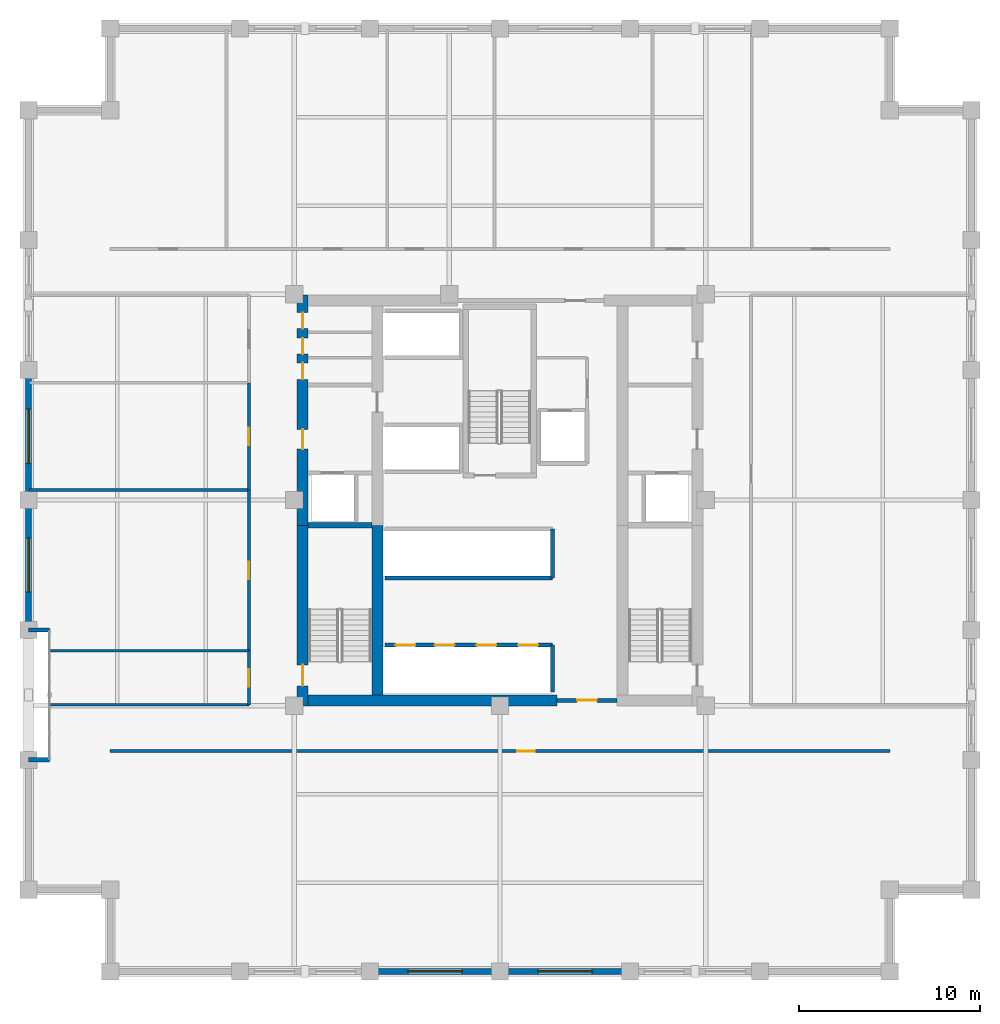
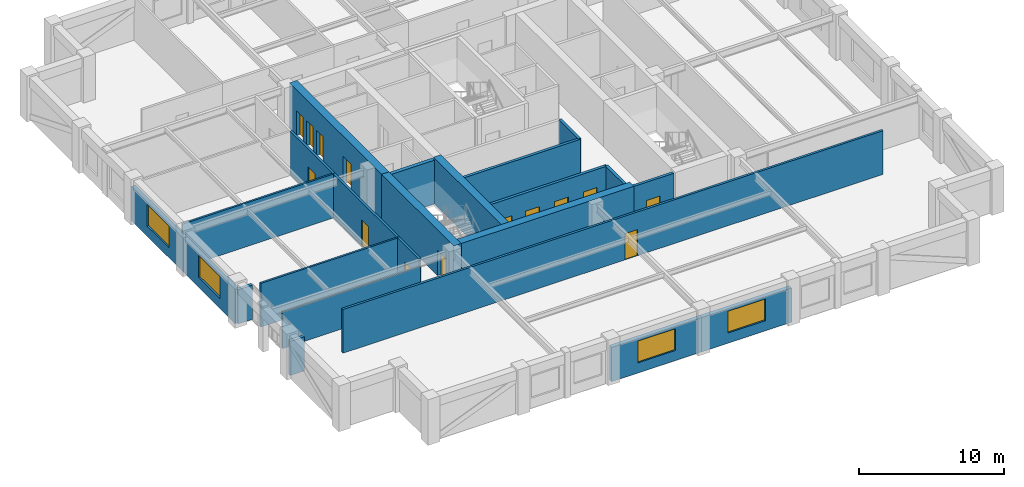
# One storey, part 6 of 11: 23 walls, 14 doors, 4 windows, 18 openings.
"""IFC4 building model written with IfcOpenShell, lengths in metres."""

from ifc_helpers import new_model, si_unit, direction, frame, frame_2d, origin, place, context, subcontext, project, spatial, rectangle, extrude, material, layer, layer_set, type_object, element, fill, save


model = new_model("IFC4")

# Units and contexts
model_context = context("Model", 3, precision=1e-05, world=origin(), true_north=direction((0.0, 1.0)))
body_context = subcontext(model_context, "Body", "Model", "MODEL_VIEW")
ifc_project = project(units=[si_unit("LENGTHUNIT", "METRE"), si_unit("AREAUNIT", "SQUARE_METRE"), si_unit("VOLUMEUNIT", "CUBIC_METRE"), si_unit("PLANEANGLEUNIT", "RADIAN"), si_unit("MASSUNIT", "GRAM", prefix="KILO")], contexts=[model_context])

# Site, building, storey
site_placement = place(None, origin())
site = spatial("IfcSite", under=ifc_project, at=site_placement, CompositionType="ELEMENT")
building_placement = place(site_placement, origin())
building = spatial("IfcBuilding", under=site, at=building_placement, Name="Nhamokura Convention Tower", CompositionType="ELEMENT")
storey_placement = place(building_placement, frame((0.0, 0.0, 168.35009765625)))
storey = spatial("IfcBuildingStorey", under=building, at=storey_placement, Name="L41", CompositionType="ELEMENT", Elevation=168.35009765625)

# Wall, opening, window
ifc_material_1 = material(Name="Bronze-pigmented precast concrete C45/55", Category="concrete")
ifc_layer_1 = layer(ifc_material_1, 0.320068359375)
ifc_layer_set_1 = layer_set([ifc_layer_1], Name="BronzePrecastSpandrel_320")
wall_type_1 = type_object("IfcWallType", Name="BronzePrecastSpandrel_320", PredefinedType="USERDEFINED", material=ifc_layer_set_1)
wall_1_placement = place(storey_placement, frame((32.0, 6.0, 0.0), z_axis=(0.0, 0.0, 1.0), x_axis=(-1.0, 0.0, 0.0)))
wall_1 = element("IfcWall", 1, at=wall_1_placement, inside=storey, type_object=wall_type_1, Name="L41 Masonry-Frame Wall SOUTH 2", ObjectType="SPANDREL_WALL", PredefinedType="USERDEFINED", context=body_context, shape_type="SweptSolid", body=[
    extrude(rectangle(XDim=7.166748046875, YDim=0.320068359375, at=frame_2d((3.58349609375, 0.0))), origin(), (0.0, 0.0, 1.0), 2.885009765625),
])
opening_1_placement = place(wall_1_placement, frame((2.083251953125, 0.0, 0.85009765625)))
opening_1 = element("IfcOpeningElement", 2, at=opening_1_placement, cuts=wall_1, Name="Opening W-05", PredefinedType="OPENING", context=body_context, shape_type="SweptSolid", body=[
    extrude(rectangle(XDim=3.0, YDim=1.8349609375, at=frame_2d((1.5, 0.91748046875))), frame((0.0, 0.169921875, 0.0), z_axis=(0.0, -1.0, 0.0), x_axis=(1.0, 0.0, 0.0)), (0.0, 0.0, 1.0), 0.340087890625),
])
ifc_material_2 = material(Name="Solar-control bronze low-E double glass", Category="glass")
window_type = type_object("IfcWindowType", Name="OfficeModuleWindow_Z2_3000", PartitioningType="DOUBLE_PANEL_VERTICAL", PredefinedType="WINDOW", material=ifc_material_2)
window_1_placement = place(opening_1_placement, origin())
window_1 = element("IfcWindow", 3, at=window_1_placement, inside=storey, type_object=window_type, Name="L41 Facade Window SOUTH 2", OverallHeight=1.8349609375, OverallWidth=3.0, PartitioningType="SINGLE_PANEL", PredefinedType="WINDOW", context=body_context, shape_type="SweptSolid", body=[
    extrude(rectangle(XDim=3.0, YDim=1.8349609375, at=frame_2d((1.5, 0.91748046875))), frame((0.0, 0.030029296875, 0.0), z_axis=(0.0, -1.0, 0.0), x_axis=(1.0, 0.0, 0.0)), (0.0, 0.0, 1.0), 0.06005859375),
])
fill(opening_1, window_1)

wall_2_placement = place(storey_placement, frame((39.166748046875, 6.0, 0.0), z_axis=(0.0, 0.0, 1.0), x_axis=(-1.0, 0.0, 0.0)))
wall_2 = element("IfcWall", 4, at=wall_2_placement, inside=storey, type_object=wall_type_1, Name="L41 Masonry-Frame Wall SOUTH 3", ObjectType="SPANDREL_WALL", PredefinedType="USERDEFINED", context=body_context, shape_type="SweptSolid", body=[
    extrude(rectangle(XDim=7.166748046875, YDim=0.320068359375, at=frame_2d((3.58349609375, 0.0))), origin(), (0.0, 0.0, 1.0), 2.885009765625),
])
opening_2_placement = place(wall_2_placement, frame((2.083251953125, 0.0, 0.85009765625)))
opening_2 = element("IfcOpeningElement", 5, at=opening_2_placement, cuts=wall_2, Name="Opening W-05", PredefinedType="OPENING", context=body_context, shape_type="SweptSolid", body=[
    extrude(rectangle(XDim=3.0, YDim=1.8349609375, at=frame_2d((1.5, 0.91748046875))), frame((0.0, 0.169921875, 0.0), z_axis=(0.0, -1.0, 0.0), x_axis=(1.0, 0.0, 0.0)), (0.0, 0.0, 1.0), 0.340087890625),
])
window_2_placement = place(opening_2_placement, origin())
window_2 = element("IfcWindow", 6, at=window_2_placement, inside=storey, type_object=window_type, Name="L41 Facade Window SOUTH 3", OverallHeight=1.8349609375, OverallWidth=3.0, PartitioningType="SINGLE_PANEL", PredefinedType="WINDOW", context=body_context, shape_type="SweptSolid", body=[
    extrude(rectangle(XDim=3.0, YDim=1.8349609375, at=frame_2d((1.5, 0.91748046875))), frame((0.0, 0.030029296875, 0.0), z_axis=(0.0, -1.0, 0.0), x_axis=(1.0, 0.0, 0.0)), (0.0, 0.0, 1.0), 0.06005859375),
])
fill(opening_2, window_2)

# Walls
for number, where, z_axis, x_axis, name in (
    (7, (6.0, 17.666748046875, 0.0), (0.0, 0.0, 1.0), (1.0, 0.0, 0.0), "L41 Scale Slot Cheek Wall WESTA"),
    (8, (6.0, 24.833251953125, 0.0), (0.0, 0.0, 1.0), (1.0, 0.0, 0.0), "L41 Scale Slot Cheek Wall WESTB"),
):
    element("IfcWall", number, at=place(storey_placement, frame(where, z_axis=z_axis, x_axis=x_axis)), inside=storey, type_object=wall_type_1, Name=name, ObjectType="SPANDREL_WALL", PredefinedType="USERDEFINED", context=body_context, shape_type="SweptSolid", body=[
        extrude(rectangle(XDim=1.14990234375, YDim=0.239990234375, at=frame_2d((0.574951171875, 0.0))), origin(), (0.0, 0.0, 1.0), 2.885009765625),
    ])

# Wall, opening, window
wall_3_placement = place(storey_placement, frame((6.0, 24.833251953125, 0.0), z_axis=(0.0, 0.0, 1.0), x_axis=(0.0, 1.0, 0.0)))
wall_3 = element("IfcWall", 9, at=wall_3_placement, inside=storey, type_object=wall_type_1, Name="L41 Masonry-Frame Wall WEST 2", ObjectType="SPANDREL_WALL", PredefinedType="USERDEFINED", context=body_context, shape_type="SweptSolid", body=[
    extrude(rectangle(XDim=7.166748046875, YDim=0.320068359375, at=frame_2d((3.58349609375, 0.0))), origin(), (0.0, 0.0, 1.0), 2.885009765625),
])
opening_3_placement = place(wall_3_placement, frame((2.083251953125, 0.0, 0.85009765625)))
opening_3 = element("IfcOpeningElement", 10, at=opening_3_placement, cuts=wall_3, Name="Opening W-05", PredefinedType="OPENING", context=body_context, shape_type="SweptSolid", body=[
    extrude(rectangle(XDim=3.0, YDim=1.8349609375, at=frame_2d((1.5, 0.91748046875))), frame((0.0, 0.169921875, 0.0), z_axis=(0.0, -1.0, 0.0), x_axis=(1.0, 0.0, 0.0)), (0.0, 0.0, 1.0), 0.340087890625),
])
window_3_placement = place(opening_3_placement, origin())
window_3 = element("IfcWindow", 11, at=window_3_placement, inside=storey, type_object=window_type, Name="L41 Facade Window WEST 2", OverallHeight=1.8349609375, OverallWidth=3.0, PartitioningType="SINGLE_PANEL", PredefinedType="WINDOW", context=body_context, shape_type="SweptSolid", body=[
    extrude(rectangle(XDim=3.0, YDim=1.8349609375, at=frame_2d((1.5, 0.91748046875))), frame((0.0, 0.030029296875, 0.0), z_axis=(0.0, -1.0, 0.0), x_axis=(1.0, 0.0, 0.0)), (0.0, 0.0, 1.0), 0.06005859375),
])
fill(opening_3, window_3)

wall_4_placement = place(storey_placement, frame((6.0, 32.0, 0.0), z_axis=(0.0, 0.0, 1.0), x_axis=(0.0, 1.0, 0.0)))
wall_4 = element("IfcWall", 12, at=wall_4_placement, inside=storey, type_object=wall_type_1, Name="L41 Masonry-Frame Wall WEST 3", ObjectType="SPANDREL_WALL", PredefinedType="USERDEFINED", context=body_context, shape_type="SweptSolid", body=[
    extrude(rectangle(XDim=7.166748046875, YDim=0.320068359375, at=frame_2d((3.58349609375, 0.0))), origin(), (0.0, 0.0, 1.0), 2.885009765625),
])
opening_4_placement = place(wall_4_placement, frame((2.00830078125, 0.0, 0.85009765625)))
opening_4 = element("IfcOpeningElement", 13, at=opening_4_placement, cuts=wall_4, Name="Opening W-05", PredefinedType="OPENING", context=body_context, shape_type="SweptSolid", body=[
    extrude(rectangle(XDim=3.0, YDim=1.8349609375, at=frame_2d((1.5, 0.91748046875))), frame((0.0, 0.169921875, 0.0), z_axis=(0.0, -1.0, 0.0), x_axis=(1.0, 0.0, 0.0)), (0.0, 0.0, 1.0), 0.340087890625),
])
window_4_placement = place(opening_4_placement, origin())
window_4 = element("IfcWindow", 14, at=window_4_placement, inside=storey, type_object=window_type, Name="L41 Facade Window WEST 3", OverallHeight=1.8349609375, OverallWidth=3.0, PartitioningType="SINGLE_PANEL", PredefinedType="WINDOW", context=body_context, shape_type="SweptSolid", body=[
    extrude(rectangle(XDim=3.0, YDim=1.8349609375, at=frame_2d((1.5, 0.91748046875))), frame((0.0, 0.030029296875, 0.0), z_axis=(0.0, -1.0, 0.0), x_axis=(1.0, 0.0, 0.0)), (0.0, 0.0, 1.0), 0.06005859375),
])
fill(opening_4, window_4)

# Wall, opening, door
ifc_material_3 = material(Name="Concrete C60/75", Category="concrete")
ifc_layer_2 = layer(ifc_material_3, 0.60009765625)
ifc_layer_set_2 = layer_set([ifc_layer_2], Name="CoreShearWall_600")
wall_type_2 = type_object("IfcWallType", Name="CoreShearWall_600", PredefinedType="SHEAR", material=ifc_layer_set_2)
wall_5_placement = place(storey_placement, frame((21.110107421875, 20.64990234375, 0.0), z_axis=(0.0, 0.0, 1.0), x_axis=(0.0, 1.0, 0.0)))
wall_5 = element("IfcWall", 15, at=wall_5_placement, inside=storey, type_object=wall_type_2, Name="L41 Core Shear Wall CW-WS", PredefinedType="SHEAR", context=body_context, shape_type="SweptSolid", body=[
    extrude(rectangle(XDim=9.9501953125, YDim=0.60009765625, at=frame_2d((4.97509765625, 0.0))), origin(), (0.0, 0.0, 1.0), 3.849853515625),
])
opening_5_placement = place(wall_5_placement, frame((1.10009765625, 0.0, 0.0)))
opening_5 = element("IfcOpeningElement", 16, at=opening_5_placement, cuts=wall_5, Name="Opening D-04", PredefinedType="OPENING", context=body_context, shape_type="SweptSolid", body=[
    extrude(rectangle(XDim=1.14990234375, YDim=2.14990234375, at=frame_2d((0.574951171875, 1.074951171875))), frame((0.0, 0.31005859375, 0.0), z_axis=(0.0, -1.0, 0.0), x_axis=(1.0, 0.0, 0.0)), (0.0, 0.0, 1.0), 0.6201171875),
])
ifc_material_4 = material(Name="Fire-rated steel door", Category="steel")
door_type_1 = type_object("IfcDoorType", Name="StairSmokeDoor_1150", OperationType="NOTDEFINED", PredefinedType="DOOR", material=ifc_material_4)
door_1_placement = place(opening_5_placement, origin())
door_1 = element("IfcDoor", 17, at=door_1_placement, inside=storey, type_object=door_type_1, Name="L41 Core Door INT-L41-D-ST01", OperationType="SINGLE_SWING_LEFT", OverallHeight=2.14990234375, OverallWidth=1.14990234375, PredefinedType="DOOR", context=body_context, shape_type="SweptSolid", body=[
    extrude(rectangle(XDim=1.14990234375, YDim=2.14990234375, at=frame_2d((0.574951171875, 1.074951171875))), frame((0.0, 0.02490234375, 0.0), z_axis=(0.0, -1.0, 0.0), x_axis=(1.0, 0.0, 0.0)), (0.0, 0.0, 1.0), 0.050048828125),
])
fill(opening_5, door_1)

# Wall, openings, doors
wall_6_placement = place(storey_placement, frame((21.110107421875, 30.60009765625, 0.0), z_axis=(0.0, 0.0, 1.0), x_axis=(0.0, 1.0, 0.0)))
wall_6 = element("IfcWall", 18, at=wall_6_placement, inside=storey, type_object=wall_type_2, Name="L41 Core Shear Wall CW-WN", PredefinedType="SHEAR", context=body_context, shape_type="SweptSolid", body=[
    extrude(rectangle(XDim=12.699951171875, YDim=0.60009765625, at=frame_2d((6.35009765625, 0.0))), origin(), (0.0, 0.0, 1.0), 3.849853515625),
])
opening_6_placement = place(wall_6_placement, frame((4.199951171875, 0.0, 0.0)))
opening_6 = element("IfcOpeningElement", 19, at=opening_6_placement, cuts=wall_6, Name="Opening D-05", PredefinedType="OPENING", context=body_context, shape_type="SweptSolid", body=[
    extrude(rectangle(XDim=1.10009765625, YDim=2.14990234375, at=frame_2d((0.550048828125, 1.074951171875))), frame((0.0, 0.31005859375, 0.0), z_axis=(0.0, -1.0, 0.0), x_axis=(1.0, 0.0, 0.0)), (0.0, 0.0, 1.0), 0.6201171875),
])
opening_7_placement = place(wall_6_placement, frame((8.050048828125, 0.0, 0.0)))
opening_7 = element("IfcOpeningElement", 20, at=opening_7_placement, cuts=wall_6, Name="Opening D-10", PredefinedType="OPENING", context=body_context, shape_type="SweptSolid", body=[
    extrude(rectangle(XDim=0.919921875, YDim=2.10009765625, at=frame_2d((0.4599609375, 1.050048828125))), frame((0.0, 0.31005859375, 0.0), z_axis=(0.0, -1.0, 0.0), x_axis=(1.0, 0.0, 0.0)), (0.0, 0.0, 1.0), 0.6201171875),
])
opening_8_placement = place(wall_6_placement, frame((9.449951171875, 0.0, 0.0)))
opening_8 = element("IfcOpeningElement", 21, at=opening_8_placement, cuts=wall_6, Name="Opening D-11", PredefinedType="OPENING", context=body_context, shape_type="SweptSolid", body=[
    extrude(rectangle(XDim=0.8798828125, YDim=2.10009765625, at=frame_2d((0.43994140625, 1.050048828125))), frame((0.0, 0.31005859375, 0.0), z_axis=(0.0, -1.0, 0.0), x_axis=(1.0, 0.0, 0.0)), (0.0, 0.0, 1.0), 0.6201171875),
])
opening_9_placement = place(wall_6_placement, frame((10.85009765625, 0.0, 0.0)))
opening_9 = element("IfcOpeningElement", 22, at=opening_9_placement, cuts=wall_6, Name="Opening D-11", PredefinedType="OPENING", context=body_context, shape_type="SweptSolid", body=[
    extrude(rectangle(XDim=0.8798828125, YDim=2.10009765625, at=frame_2d((0.43994140625, 1.050048828125))), frame((0.0, 0.31005859375, 0.0), z_axis=(0.0, -1.0, 0.0), x_axis=(1.0, 0.0, 0.0)), (0.0, 0.0, 1.0), 0.6201171875),
])
ifc_material_5 = material(Name="Solid oak hardwood", Category="wood")
door_type_2 = type_object("IfcDoorType", Name="AccessibleWCDoor_920", OperationType="NOTDEFINED", PredefinedType="DOOR", material=ifc_material_5)
door_2_placement = place(opening_7_placement, origin())
door_2 = element("IfcDoor", 23, at=door_2_placement, inside=storey, type_object=door_type_2, Name="L41 Core Door INT-L41-D-AWC", OperationType="SINGLE_SWING_LEFT", OverallHeight=2.10009765625, OverallWidth=0.919921875, PredefinedType="DOOR", context=body_context, shape_type="SweptSolid", body=[
    extrude(rectangle(XDim=0.919921875, YDim=2.10009765625, at=frame_2d((0.4599609375, 1.050048828125))), frame((0.0, 0.02490234375, 0.0), z_axis=(0.0, -1.0, 0.0), x_axis=(1.0, 0.0, 0.0)), (0.0, 0.0, 1.0), 0.050048828125),
])
fill(opening_7, door_2)
ifc_material_6 = material(Name="Solid oak hardwood", Category="wood")
door_type_3 = type_object("IfcDoorType", Name="BathroomDoor_880", OperationType="NOTDEFINED", PredefinedType="DOOR", material=ifc_material_6)
door_3_placement = place(opening_8_placement, origin())
door_3 = element("IfcDoor", 24, at=door_3_placement, inside=storey, type_object=door_type_3, Name="L41 Core Door INT-L41-D-CLN", OperationType="SINGLE_SWING_RIGHT", OverallHeight=2.10009765625, OverallWidth=0.8798828125, PredefinedType="DOOR", context=body_context, shape_type="SweptSolid", body=[
    extrude(rectangle(XDim=0.8798828125, YDim=2.10009765625, at=frame_2d((0.43994140625, 1.050048828125))), frame((0.0, 0.02490234375, 0.0), z_axis=(0.0, -1.0, 0.0), x_axis=(1.0, 0.0, 0.0)), (0.0, 0.0, 1.0), 0.050048828125),
])
fill(opening_8, door_3)
door_4_placement = place(opening_9_placement, origin())
door_4 = element("IfcDoor", 25, at=door_4_placement, inside=storey, type_object=door_type_3, Name="L41 Core Door INT-L41-D-PNT", OperationType="SINGLE_SWING_LEFT", OverallHeight=2.10009765625, OverallWidth=0.8798828125, PredefinedType="DOOR", context=body_context, shape_type="SweptSolid", body=[
    extrude(rectangle(XDim=0.8798828125, YDim=2.10009765625, at=frame_2d((0.43994140625, 1.050048828125))), frame((0.0, 0.02490234375, 0.0), z_axis=(0.0, -1.0, 0.0), x_axis=(1.0, 0.0, 0.0)), (0.0, 0.0, 1.0), 0.050048828125),
])
fill(opening_9, door_4)
ifc_material_7 = material(Name="Fire-rated steel door", Category="steel")
door_type_4 = type_object("IfcDoorType", Name="FireLobbyDoor_1100", OperationType="NOTDEFINED", PredefinedType="DOOR", material=ifc_material_7)
door_5_placement = place(opening_6_placement, origin())
door_5 = element("IfcDoor", 26, at=door_5_placement, inside=storey, type_object=door_type_4, Name="L41 Core Door INT-L41-D-FFLW", OperationType="SINGLE_SWING_RIGHT", OverallHeight=2.14990234375, OverallWidth=1.10009765625, PredefinedType="DOOR", context=body_context, shape_type="SweptSolid", body=[
    extrude(rectangle(XDim=1.10009765625, YDim=2.14990234375, at=frame_2d((0.550048828125, 1.074951171875))), frame((0.0, 0.02490234375, 0.0), z_axis=(0.0, -1.0, 0.0), x_axis=(1.0, 0.0, 0.0)), (0.0, 0.0, 1.0), 0.050048828125),
])
fill(opening_6, door_5)

# Walls
wall_7_placement = place(storey_placement, frame((21.409912109375, 20.949951171875, 0.0), z_axis=(0.0, 0.0, 1.0), x_axis=(1.0, 0.0, 0.0)))
element("IfcWall", 27, at=wall_7_placement, inside=storey, type_object=wall_type_2, Name="L41 Core Shear Wall CW-S1", PredefinedType="SHEAR", context=body_context, shape_type="SweptSolid", body=[
    extrude(rectangle(XDim=13.739990234375, YDim=0.60009765625, at=frame_2d((6.8701171875, 0.0))), origin(), (0.0, 0.0, 1.0), 3.849853515625),
])
wall_8_placement = place(storey_placement, frame((25.239990234375, 21.25, 0.0), z_axis=(0.0, 0.0, 1.0), x_axis=(0.0, 1.0, 0.0)))
element("IfcWall", 28, at=wall_8_placement, inside=storey, type_object=wall_type_2, Name="L41 Core Shear Wall CW-IWS", PredefinedType="SHEAR", context=body_context, shape_type="SweptSolid", body=[
    extrude(rectangle(XDim=9.35009765625, YDim=0.60009765625, at=frame_2d((4.675048828125, 0.0))), origin(), (0.0, 0.0, 1.0), 3.849853515625),
])

# Wall, opening, door
ifc_material_8 = material(Name="Fire-rated gypsum and masonry partition", Category="masonry")
ifc_layer_3 = layer(ifc_material_8, 0.179931640625)
ifc_layer_set_3 = layer_set([ifc_layer_3], Name="CorridorRatedWall_180")
wall_type_3 = type_object("IfcWallType", Name="CorridorRatedWall_180", PredefinedType="STANDARD", material=ifc_layer_set_3)
wall_9_placement = place(storey_placement, frame((10.5, 18.14990234375, 0.0), z_axis=(0.0, 0.0, 1.0), x_axis=(1.0, 0.0, 0.0)))
wall_9 = element("IfcWall", 29, at=wall_9_placement, inside=storey, type_object=wall_type_3, Name="L41 Wall INT-L41-CW-S00", PredefinedType="STANDARD", context=body_context, shape_type="SweptSolid", body=[
    extrude(rectangle(XDim=43.0, YDim=0.179931640625, at=frame_2d((21.5, 0.0))), origin(), (0.0, 0.0, 1.0), 3.684814453125),
])
opening_10_placement = place(wall_9_placement, frame((22.449951171875, 0.0, 0.0)))
opening_10 = element("IfcOpeningElement", 30, at=opening_10_placement, cuts=wall_9, Name="Opening D-08", PredefinedType="OPENING", context=body_context, shape_type="SweptSolid", body=[
    extrude(rectangle(XDim=0.97998046875, YDim=2.199951171875, at=frame_2d((0.489990234375, 1.10009765625))), frame((0.0, 0.099853515625, 0.0), z_axis=(0.0, -1.0, 0.0), x_axis=(1.0, 0.0, 0.0)), (0.0, 0.0, 1.0), 0.199951171875),
])
ifc_material_9 = material(Name="Solid oak hardwood", Category="wood")
door_type_5 = type_object("IfcDoorType", Name="OfficeEntryDoor_980", OperationType="NOTDEFINED", PredefinedType="DOOR", material=ifc_material_9)
door_6_placement = place(opening_10_placement, origin())
door_6 = element("IfcDoor", 31, at=door_6_placement, inside=storey, type_object=door_type_5, Name="L41 Auditorium Lounge S01 Door", OperationType="SINGLE_SWING_LEFT", OverallHeight=2.199951171875, OverallWidth=0.97998046875, PredefinedType="DOOR", context=body_context, shape_type="SweptSolid", body=[
    extrude(rectangle(XDim=0.97998046875, YDim=2.199951171875, at=frame_2d((0.489990234375, 1.10009765625))), frame((0.0, 0.02490234375, 0.0), z_axis=(0.0, -1.0, 0.0), x_axis=(1.0, 0.0, 0.0)), (0.0, 0.0, 1.0), 0.050048828125),
])
fill(opening_10, door_6)

wall_10_placement = place(storey_placement, frame((18.14990234375, 20.699951171875, 0.0), z_axis=(0.0, 0.0, 1.0), x_axis=(0.0, 1.0, 0.0)))
wall_10 = element("IfcWall", 32, at=wall_10_placement, inside=storey, type_object=wall_type_3, Name="L41 Wall INT-L41-CW-W00", PredefinedType="STANDARD", context=body_context, shape_type="SweptSolid", body=[
    extrude(rectangle(XDim=2.9833984375, YDim=0.179931640625, at=frame_2d((1.49169921875, 0.0))), origin(), (0.0, 0.0, 1.0), 3.684814453125),
])
opening_11_placement = place(wall_10_placement, frame((0.99169921875, 0.0, 0.0)))
opening_11 = element("IfcOpeningElement", 33, at=opening_11_placement, cuts=wall_10, Name="Opening D-08", PredefinedType="OPENING", context=body_context, shape_type="SweptSolid", body=[
    extrude(rectangle(XDim=0.97998046875, YDim=2.199951171875, at=frame_2d((0.489990234375, 1.10009765625))), frame((0.0, 0.099853515625, 0.0), z_axis=(0.0, -1.0, 0.0), x_axis=(1.0, 0.0, 0.0)), (0.0, 0.0, 1.0), 0.199951171875),
])
door_7_placement = place(opening_11_placement, origin())
door_7 = element("IfcDoor", 34, at=door_7_placement, inside=storey, type_object=door_type_5, Name="L41 Archive Store W01 Door", OperationType="SINGLE_SWING_LEFT", OverallHeight=2.199951171875, OverallWidth=0.97998046875, PredefinedType="DOOR", context=body_context, shape_type="SweptSolid", body=[
    extrude(rectangle(XDim=0.97998046875, YDim=2.199951171875, at=frame_2d((0.489990234375, 1.10009765625))), frame((0.0, 0.02490234375, 0.0), z_axis=(0.0, -1.0, 0.0), x_axis=(1.0, 0.0, 0.0)), (0.0, 0.0, 1.0), 0.050048828125),
])
fill(opening_11, door_7)

wall_11_placement = place(storey_placement, frame((18.14990234375, 23.683349609375, 0.0), z_axis=(0.0, 0.0, 1.0), x_axis=(0.0, 1.0, 0.0)))
wall_11 = element("IfcWall", 35, at=wall_11_placement, inside=storey, type_object=wall_type_3, Name="L41 Wall INT-L41-CW-W01", PredefinedType="STANDARD", context=body_context, shape_type="SweptSolid", body=[
    extrude(rectangle(XDim=8.86669921875, YDim=0.179931640625, at=frame_2d((4.433349609375, 0.0))), origin(), (0.0, 0.0, 1.0), 3.684814453125),
])
opening_12_placement = place(wall_11_placement, frame((3.933349609375, 0.0, 0.0)))
opening_12 = element("IfcOpeningElement", 36, at=opening_12_placement, cuts=wall_11, Name="Opening D-08", PredefinedType="OPENING", context=body_context, shape_type="SweptSolid", body=[
    extrude(rectangle(XDim=0.97998046875, YDim=2.199951171875, at=frame_2d((0.489990234375, 1.10009765625))), frame((0.0, 0.099853515625, 0.0), z_axis=(0.0, -1.0, 0.0), x_axis=(1.0, 0.0, 0.0)), (0.0, 0.0, 1.0), 0.199951171875),
])
door_8_placement = place(opening_12_placement, origin())
door_8 = element("IfcDoor", 37, at=door_8_placement, inside=storey, type_object=door_type_5, Name="L41 Private Office W02 Door", OperationType="SINGLE_SWING_RIGHT", OverallHeight=2.199951171875, OverallWidth=0.97998046875, PredefinedType="DOOR", context=body_context, shape_type="SweptSolid", body=[
    extrude(rectangle(XDim=0.97998046875, YDim=2.199951171875, at=frame_2d((0.489990234375, 1.10009765625))), frame((0.0, 0.02490234375, 0.0), z_axis=(0.0, -1.0, 0.0), x_axis=(1.0, 0.0, 0.0)), (0.0, 0.0, 1.0), 0.050048828125),
])
fill(opening_12, door_8)

wall_12_placement = place(storey_placement, frame((18.14990234375, 32.550048828125, 0.0), z_axis=(0.0, 0.0, 1.0), x_axis=(0.0, 1.0, 0.0)))
wall_12 = element("IfcWall", 38, at=wall_12_placement, inside=storey, type_object=wall_type_3, Name="L41 Wall INT-L41-CW-W02", PredefinedType="STANDARD", context=body_context, shape_type="SweptSolid", body=[
    extrude(rectangle(XDim=5.916748046875, YDim=0.179931640625, at=frame_2d((2.95849609375, 0.0))), origin(), (0.0, 0.0, 1.0), 3.684814453125),
])
opening_13_placement = place(wall_12_placement, frame((2.45849609375, 0.0, 0.0)))
opening_13 = element("IfcOpeningElement", 39, at=opening_13_placement, cuts=wall_12, Name="Opening D-08", PredefinedType="OPENING", context=body_context, shape_type="SweptSolid", body=[
    extrude(rectangle(XDim=0.97998046875, YDim=2.199951171875, at=frame_2d((0.489990234375, 1.10009765625))), frame((0.0, 0.099853515625, 0.0), z_axis=(0.0, -1.0, 0.0), x_axis=(1.0, 0.0, 0.0)), (0.0, 0.0, 1.0), 0.199951171875),
])
door_9_placement = place(opening_13_placement, origin())
door_9 = element("IfcDoor", 40, at=door_9_placement, inside=storey, type_object=door_type_5, Name="L41 Private Office W03 Door", OperationType="SINGLE_SWING_LEFT", OverallHeight=2.199951171875, OverallWidth=0.97998046875, PredefinedType="DOOR", context=body_context, shape_type="SweptSolid", body=[
    extrude(rectangle(XDim=0.97998046875, YDim=2.199951171875, at=frame_2d((0.489990234375, 1.10009765625))), frame((0.0, 0.02490234375, 0.0), z_axis=(0.0, -1.0, 0.0), x_axis=(1.0, 0.0, 0.0)), (0.0, 0.0, 1.0), 0.050048828125),
])
fill(opening_13, door_9)

ifc_material_10 = material(Name="Autoclaved concrete blockwork", Category="masonry")
ifc_layer_4 = layer(ifc_material_10, 0.219970703125)
ifc_layer_set_4 = layer_set([ifc_layer_4], Name="FireLobbyWall_220")
wall_type_4 = type_object("IfcWallType", Name="FireLobbyWall_220", PredefinedType="STANDARD", material=ifc_layer_set_4)
wall_13_placement = place(storey_placement, frame((35.14990234375, 20.949951171875, 0.0), z_axis=(0.0, 0.0, 1.0), x_axis=(1.0, 0.0, 0.0)))
wall_13 = element("IfcWall", 41, at=wall_13_placement, inside=storey, type_object=wall_type_4, Name="L41 Wall INT-L41-SPORT-S", PredefinedType="STANDARD", context=body_context, shape_type="SweptSolid", body=[
    extrude(rectangle(XDim=3.300048828125, YDim=0.219970703125, at=frame_2d((1.64990234375, 0.0))), origin(), (0.0, 0.0, 1.0), 3.684814453125),
])
opening_14_placement = place(wall_13_placement, frame((1.10009765625, 0.0, 0.0)))
opening_14 = element("IfcOpeningElement", 42, at=opening_14_placement, cuts=wall_13, Name="Opening D-05", PredefinedType="OPENING", context=body_context, shape_type="SweptSolid", body=[
    extrude(rectangle(XDim=1.10009765625, YDim=2.14990234375, at=frame_2d((0.550048828125, 1.074951171875))), frame((0.0, 0.119873046875, 0.0), z_axis=(0.0, -1.0, 0.0), x_axis=(1.0, 0.0, 0.0)), (0.0, 0.0, 1.0), 0.239990234375),
])
door_10_placement = place(opening_14_placement, origin())
door_10 = element("IfcDoor", 43, at=door_10_placement, inside=storey, type_object=door_type_4, Name="L41 South Core Lobby Portal Door", OperationType="SINGLE_SWING_LEFT", OverallHeight=2.14990234375, OverallWidth=1.10009765625, PredefinedType="DOOR", context=body_context, shape_type="SweptSolid", body=[
    extrude(rectangle(XDim=1.10009765625, YDim=2.14990234375, at=frame_2d((0.550048828125, 1.074951171875))), frame((0.0, 0.02490234375, 0.0), z_axis=(0.0, -1.0, 0.0), x_axis=(1.0, 0.0, 0.0)), (0.0, 0.0, 1.0), 0.050048828125),
])
fill(opening_14, door_10)

# Wall, openings, doors
wall_14_placement = place(storey_placement, frame((25.64990234375, 24.0, 0.0), z_axis=(0.0, 0.0, 1.0), x_axis=(1.0, 0.0, 0.0)))
wall_14 = element("IfcWall", 44, at=wall_14_placement, inside=storey, type_object=wall_type_4, Name="L41 Wall INT-L41-B1N", PredefinedType="STANDARD", context=body_context, shape_type="SweptSolid", body=[
    extrude(rectangle(XDim=9.25, YDim=0.219970703125, at=frame_2d((4.625, 0.0))), origin(), (0.0, 0.0, 1.0), 3.684814453125),
])
opening_15_placement = place(wall_14_placement, frame((0.580078125, 0.0, 0.0)))
opening_15 = element("IfcOpeningElement", 45, at=opening_15_placement, cuts=wall_14, Name="Opening LD-01", PredefinedType="OPENING", context=body_context, shape_type="SweptSolid", body=[
    extrude(rectangle(XDim=1.10009765625, YDim=2.14990234375, at=frame_2d((0.550048828125, 1.074951171875))), frame((0.0, 0.119873046875, 0.0), z_axis=(0.0, -1.0, 0.0), x_axis=(1.0, 0.0, 0.0)), (0.0, 0.0, 1.0), 0.239990234375),
])
opening_16_placement = place(wall_14_placement, frame((2.75, 0.0, 0.0)))
opening_16 = element("IfcOpeningElement", 46, at=opening_16_placement, cuts=wall_14, Name="Opening LD-01", PredefinedType="OPENING", context=body_context, shape_type="SweptSolid", body=[
    extrude(rectangle(XDim=1.10009765625, YDim=2.14990234375, at=frame_2d((0.550048828125, 1.074951171875))), frame((0.0, 0.119873046875, 0.0), z_axis=(0.0, -1.0, 0.0), x_axis=(1.0, 0.0, 0.0)), (0.0, 0.0, 1.0), 0.239990234375),
])
opening_17_placement = place(wall_14_placement, frame((5.050048828125, 0.0, 0.0)))
opening_17 = element("IfcOpeningElement", 47, at=opening_17_placement, cuts=wall_14, Name="Opening LD-01", PredefinedType="OPENING", context=body_context, shape_type="SweptSolid", body=[
    extrude(rectangle(XDim=1.10009765625, YDim=2.14990234375, at=frame_2d((0.550048828125, 1.074951171875))), frame((0.0, 0.119873046875, 0.0), z_axis=(0.0, -1.0, 0.0), x_axis=(1.0, 0.0, 0.0)), (0.0, 0.0, 1.0), 0.239990234375),
])
opening_18_placement = place(wall_14_placement, frame((7.35009765625, 0.0, 0.0)))
opening_18 = element("IfcOpeningElement", 48, at=opening_18_placement, cuts=wall_14, Name="Opening LD-01", PredefinedType="OPENING", context=body_context, shape_type="SweptSolid", body=[
    extrude(rectangle(XDim=1.10009765625, YDim=2.14990234375, at=frame_2d((0.550048828125, 1.074951171875))), frame((0.0, 0.119873046875, 0.0), z_axis=(0.0, -1.0, 0.0), x_axis=(1.0, 0.0, 0.0)), (0.0, 0.0, 1.0), 0.239990234375),
])
ifc_material_11 = material(Name="Anodised bronze stainless steel", Category="steel")
door_type_6 = type_object("IfcDoorType", Name="LiftLandingDoor_Passenger", OperationType="DOUBLE_DOOR_SLIDING", PredefinedType="DOOR", material=ifc_material_11)
door_11_placement = place(opening_15_placement, origin())
door_11 = element("IfcDoor", 49, at=door_11_placement, inside=storey, type_object=door_type_6, Name="L41 Lift LP-01 Landing Door", OperationType="DOUBLE_DOOR_SLIDING", OverallHeight=2.14990234375, OverallWidth=1.10009765625, PredefinedType="DOOR", context=body_context, shape_type="SweptSolid", body=[
    extrude(rectangle(XDim=1.10009765625, YDim=2.14990234375, at=frame_2d((0.550048828125, 1.074951171875))), frame((0.0, 0.02490234375, 0.0), z_axis=(0.0, -1.0, 0.0), x_axis=(1.0, 0.0, 0.0)), (0.0, 0.0, 1.0), 0.050048828125),
])
fill(opening_15, door_11)
door_12_placement = place(opening_16_placement, origin())
door_12 = element("IfcDoor", 50, at=door_12_placement, inside=storey, type_object=door_type_6, Name="L41 Lift LP-02 Landing Door", OperationType="DOUBLE_DOOR_SLIDING", OverallHeight=2.14990234375, OverallWidth=1.10009765625, PredefinedType="DOOR", context=body_context, shape_type="SweptSolid", body=[
    extrude(rectangle(XDim=1.10009765625, YDim=2.14990234375, at=frame_2d((0.550048828125, 1.074951171875))), frame((0.0, 0.02490234375, 0.0), z_axis=(0.0, -1.0, 0.0), x_axis=(1.0, 0.0, 0.0)), (0.0, 0.0, 1.0), 0.050048828125),
])
fill(opening_16, door_12)
door_13_placement = place(opening_17_placement, origin())
door_13 = element("IfcDoor", 51, at=door_13_placement, inside=storey, type_object=door_type_6, Name="L41 Lift LP-03 Landing Door", OperationType="DOUBLE_DOOR_SLIDING", OverallHeight=2.14990234375, OverallWidth=1.10009765625, PredefinedType="DOOR", context=body_context, shape_type="SweptSolid", body=[
    extrude(rectangle(XDim=1.10009765625, YDim=2.14990234375, at=frame_2d((0.550048828125, 1.074951171875))), frame((0.0, 0.02490234375, 0.0), z_axis=(0.0, -1.0, 0.0), x_axis=(1.0, 0.0, 0.0)), (0.0, 0.0, 1.0), 0.050048828125),
])
fill(opening_17, door_13)
door_14_placement = place(opening_18_placement, origin())
door_14 = element("IfcDoor", 52, at=door_14_placement, inside=storey, type_object=door_type_6, Name="L41 Lift LP-04 Landing Door", OperationType="DOUBLE_DOOR_SLIDING", OverallHeight=2.14990234375, OverallWidth=1.10009765625, PredefinedType="DOOR", context=body_context, shape_type="SweptSolid", body=[
    extrude(rectangle(XDim=1.10009765625, YDim=2.14990234375, at=frame_2d((0.550048828125, 1.074951171875))), frame((0.0, 0.02490234375, 0.0), z_axis=(0.0, -1.0, 0.0), x_axis=(1.0, 0.0, 0.0)), (0.0, 0.0, 1.0), 0.050048828125),
])
fill(opening_18, door_14)

# Walls
wall_15_placement = place(storey_placement, frame((34.89990234375, 21.39990234375, 0.0), z_axis=(0.0, 0.0, 1.0), x_axis=(0.0, 1.0, 0.0)))
element("IfcWall", 53, at=wall_15_placement, inside=storey, type_object=wall_type_4, Name="L41 Wall INT-L41-B1E", PredefinedType="STANDARD", context=body_context, shape_type="SweptSolid", body=[
    extrude(rectangle(XDim=2.60009765625, YDim=0.219970703125, at=frame_2d((1.300048828125, 0.0))), origin(), (0.0, 0.0, 1.0), 3.684814453125),
])
wall_16_placement = place(storey_placement, frame((25.64990234375, 27.699951171875, 0.0), z_axis=(0.0, 0.0, 1.0), x_axis=(1.0, 0.0, 0.0)))
element("IfcWall", 54, at=wall_16_placement, inside=storey, type_object=wall_type_4, Name="L41 Wall INT-L41-B2S", PredefinedType="STANDARD", context=body_context, shape_type="SweptSolid", body=[
    extrude(rectangle(XDim=9.25, YDim=0.219970703125, at=frame_2d((4.625, 0.0))), origin(), (0.0, 0.0, 1.0), 3.684814453125),
])
wall_17_placement = place(storey_placement, frame((34.89990234375, 27.699951171875, 0.0), z_axis=(0.0, 0.0, 1.0), x_axis=(0.0, 1.0, 0.0)))
element("IfcWall", 55, at=wall_17_placement, inside=storey, type_object=wall_type_4, Name="L41 Wall INT-L41-B2E", PredefinedType="STANDARD", context=body_context, shape_type="SweptSolid", body=[
    extrude(rectangle(XDim=2.699951171875, YDim=0.219970703125, at=frame_2d((1.35009765625, 0.0))), origin(), (0.0, 0.0, 1.0), 3.684814453125),
])
ifc_material_12 = material(Name="Acoustic gypsum stud partition", Category="masonry")
ifc_layer_5 = layer(ifc_material_12, 0.14990234375)
ifc_layer_set_5 = layer_set([ifc_layer_5], Name="InteriorPartition_150")
wall_type_5 = type_object("IfcWallType", Name="InteriorPartition_150", PredefinedType="STANDARD", material=ifc_layer_set_5)
wall_18_placement = place(storey_placement, frame((7.159912109375, 20.699951171875, 0.0), z_axis=(0.0, 0.0, 1.0), x_axis=(1.0, 0.0, 0.0)))
element("IfcWall", 56, at=wall_18_placement, inside=storey, type_object=wall_type_5, Name="L41 Wall INT-L41-RWB-W", PredefinedType="STANDARD", context=body_context, shape_type="SweptSolid", body=[
    extrude(rectangle(XDim=10.989990234375, YDim=0.14990234375, at=frame_2d((5.4951171875, 0.0))), origin(), (0.0, 0.0, 1.0), 3.06494140625),
])
wall_19_placement = place(storey_placement, frame((7.159912109375, 23.683349609375, 0.0), z_axis=(0.0, 0.0, 1.0), x_axis=(1.0, 0.0, 0.0)))
element("IfcWall", 57, at=wall_19_placement, inside=storey, type_object=wall_type_5, Name="L41 Wall INT-L41-RW-W01", PredefinedType="STANDARD", context=body_context, shape_type="SweptSolid", body=[
    extrude(rectangle(XDim=10.989990234375, YDim=0.14990234375, at=frame_2d((5.4951171875, 0.0))), origin(), (0.0, 0.0, 1.0), 3.684814453125),
])
wall_20_placement = place(storey_placement, frame((6.06005859375, 32.550048828125, 0.0), z_axis=(0.0, 0.0, 1.0), x_axis=(1.0, 0.0, 0.0)))
element("IfcWall", 58, at=wall_20_placement, inside=storey, type_object=wall_type_5, Name="L41 Wall INT-L41-RW-W02", PredefinedType="STANDARD", context=body_context, shape_type="SweptSolid", body=[
    extrude(rectangle(XDim=12.08984375, YDim=0.14990234375, at=frame_2d((6.044921875, 0.0))), origin(), (0.0, 0.0, 1.0), 3.684814453125),
])
ifc_material_13 = material(Name="Concrete C50/60", Category="concrete")
ifc_layer_6 = layer(ifc_material_13, 0.300048828125)
ifc_layer_set_6 = layer_set([ifc_layer_6], Name="ShaftEnclosureWall_300")
wall_type_6 = type_object("IfcWallType", Name="ShaftEnclosureWall_300", PredefinedType="SHEAR", material=ifc_layer_set_6)
wall_21_placement = place(storey_placement, frame((21.409912109375, 30.60009765625, 0.0), z_axis=(0.0, 0.0, 1.0), x_axis=(1.0, 0.0, 0.0)))
element("IfcWall", 59, at=wall_21_placement, inside=storey, type_object=wall_type_6, Name="L41 Wall INT-L41-ST01-N", PredefinedType="SHEAR", context=body_context, shape_type="SweptSolid", body=[
    extrude(rectangle(XDim=3.530029296875, YDim=0.300048828125, at=frame_2d((1.76513671875, 0.0))), origin(), (0.0, 0.0, 1.0), 3.684814453125),
])

save(model, "model.ifc")
